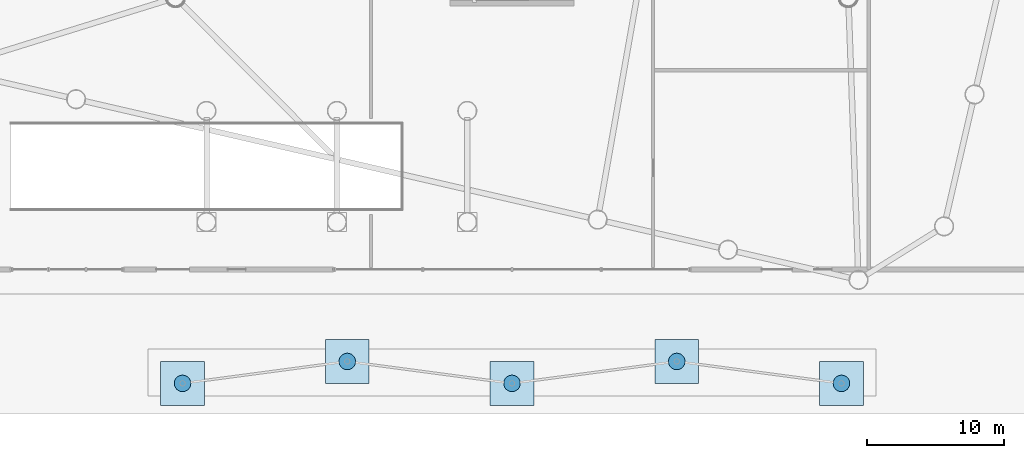
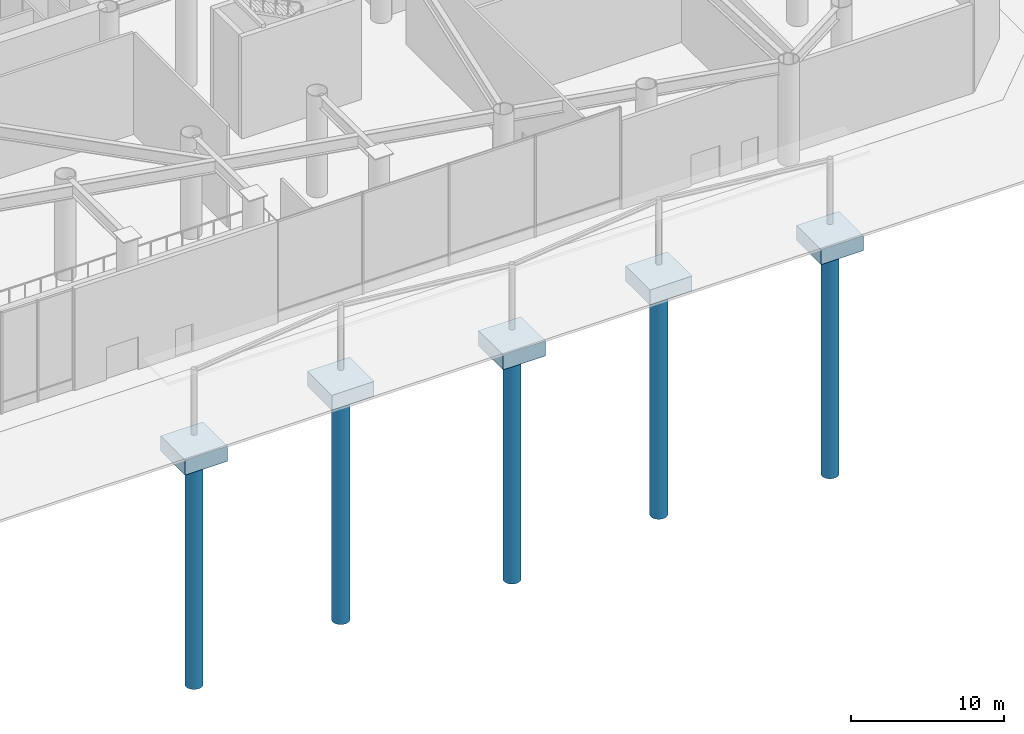
# One storey, part 1 of 28: 5 footings, 5 piles.
"""IFC4 building model written with IfcOpenShell, lengths in metres."""

from ifc_helpers import new_model, si_unit, direction, frame, origin, origin_2d, place, context, subcontext, project, spatial, rectangle, circle, extrude, material, layer, layer_set, material_profile, profile_set, type_object, element, save


model = new_model("IFC4")

# Units and contexts
model_context = context("Model", 3, precision=1e-05, world=origin(), true_north=direction((0.0, 1.0)))
body_context = subcontext(model_context, "Body", "Model", "MODEL_VIEW")
ifc_project = project(units=[si_unit("LENGTHUNIT", "METRE"), si_unit("AREAUNIT", "SQUARE_METRE"), si_unit("VOLUMEUNIT", "CUBIC_METRE"), si_unit("PLANEANGLEUNIT", "RADIAN"), si_unit("MASSUNIT", "GRAM", prefix="KILO")], contexts=[model_context])

# Site, building, storey
site_placement = place(None, origin())
site = spatial("IfcSite", under=ifc_project, at=site_placement, CompositionType="ELEMENT")
building_placement = place(site_placement, origin())
building = spatial("IfcBuilding", under=site, at=building_placement, Name="Tavrogorsk Clinical Tower", CompositionType="ELEMENT")
storey_placement = place(building_placement, origin())
storey = spatial("IfcBuildingStorey", under=building, at=storey_placement, Name="L00", CompositionType="ELEMENT", Elevation=0.0)

# Piles
ifc_material_1 = material(Name="Concrete B60", Category="concrete")
ifc_material_profile = material_profile(ifc_material_1, circle(Radius=0.60009765625, at=origin_2d()), Name="BORED-PILE-1200")
ifc_profile_set = profile_set([ifc_material_profile], Name="Concrete B60")
pile_type = type_object("IfcPileType", Name="BoredPile_1200", PredefinedType="BORED", material=ifc_profile_set)
for number, where, z_axis, x_axis, name in (
    (1, (-24.0, -41.300048828125, -1.64990234375), (0.0, 0.0, -1.0), (1.0, 0.0, 0.0), "Canopy Bored Pile CP-1"),
    (2, (-12.0, -39.699951171875, -1.64990234375), (0.0, 0.0, -1.0), (1.0, 0.0, 0.0), "Canopy Bored Pile CP-2"),
    (3, (0.0, -41.300048828125, -1.64990234375), (0.0, 0.0, -1.0), (1.0, 0.0, 0.0), "Canopy Bored Pile CP-3"),
    (4, (12.0, -39.699951171875, -1.64990234375), (0.0, 0.0, -1.0), (1.0, 0.0, 0.0), "Canopy Bored Pile CP-4"),
    (5, (24.0, -41.300048828125, -1.64990234375), (0.0, 0.0, -1.0), (1.0, 0.0, 0.0), "Canopy Bored Pile CP-5"),
):
    element("IfcPile", number, at=place(storey_placement, frame(where, z_axis=z_axis, x_axis=x_axis)), inside=storey, type_object=pile_type, Name=name, PredefinedType="BORED", context=body_context, shape_type="SweptSolid", body=[
        extrude(circle(Radius=0.60009765625, at=origin_2d()), origin(), (0.0, 0.0, 1.0), 18.35009765625),
    ])

# Footings
ifc_material_2 = material(Name="Concrete B60", Category="concrete")
ifc_layer = layer(ifc_material_2, 1.199951171875)
ifc_layer_set = layer_set([ifc_layer], Name="Concrete B60")
footing_type = type_object("IfcFootingType", Name="CanopyPad_3200x3200x1200", PredefinedType="PAD_FOOTING", material=ifc_layer_set)
for number, where, z_axis, x_axis, name in (
    (6, (-24.0, -41.300048828125, -1.7998046875), (0.0, 0.0, 1.0), (1.0, 0.0, 0.0), "Canopy Pad Footing CP-1"),
    (7, (-12.0, -39.699951171875, -1.7998046875), (0.0, 0.0, 1.0), (1.0, 0.0, 0.0), "Canopy Pad Footing CP-2"),
    (8, (0.0, -41.300048828125, -1.7998046875), (0.0, 0.0, 1.0), (1.0, 0.0, 0.0), "Canopy Pad Footing CP-3"),
    (9, (12.0, -39.699951171875, -1.7998046875), (0.0, 0.0, 1.0), (1.0, 0.0, 0.0), "Canopy Pad Footing CP-4"),
    (10, (24.0, -41.300048828125, -1.7998046875), (0.0, 0.0, 1.0), (1.0, 0.0, 0.0), "Canopy Pad Footing CP-5"),
):
    element("IfcFooting", number, at=place(storey_placement, frame(where, z_axis=z_axis, x_axis=x_axis)), inside=storey, type_object=footing_type, Name=name, PredefinedType="PAD_FOOTING", context=body_context, shape_type="SweptSolid", body=[
        extrude(rectangle(XDim=3.199951171875, YDim=3.199951171875, at=origin_2d()), origin(), (0.0, 0.0, 1.0), 1.199951171875),
    ])

save(model, "model.ifc")
